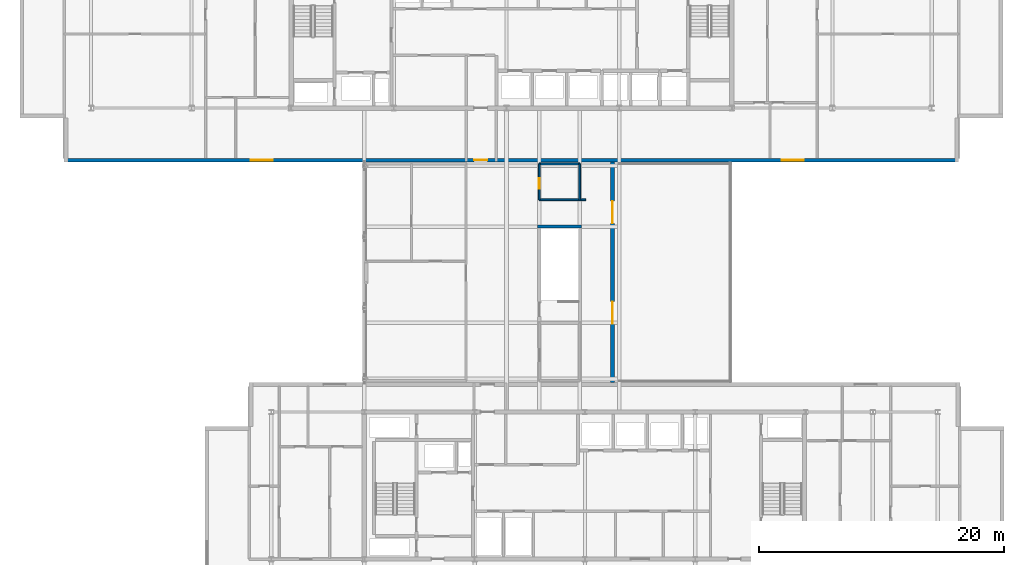
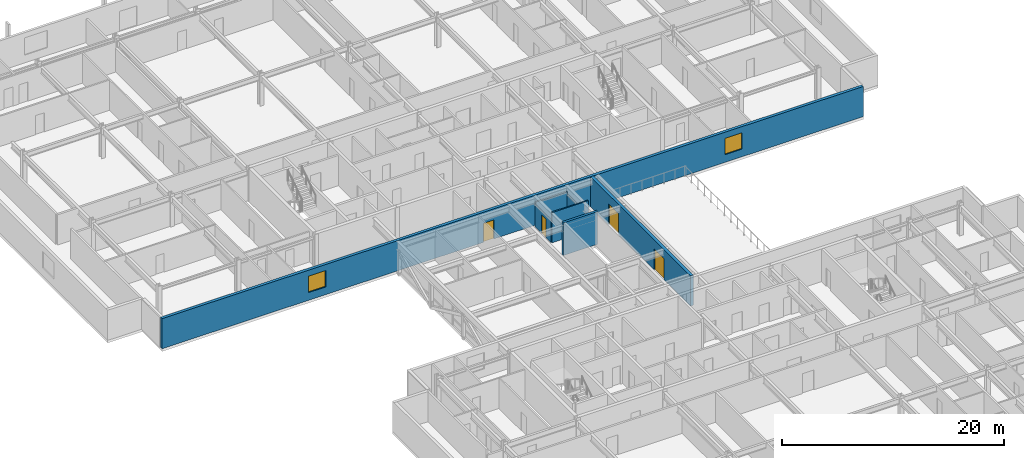
# One storey, part 15 of 28: 7 walls, 4 doors, 2 windows, 6 openings.
"""IFC4 building model written with IfcOpenShell, lengths in metres."""

from ifc_helpers import new_model, si_unit, direction, frame, frame_2d, origin, place, context, subcontext, project, spatial, rectangle, extrude, material, layer, layer_set, type_object, element, fill, save


model = new_model("IFC4")

# Units and contexts
model_context = context("Model", 3, precision=1e-05, world=origin(), true_north=direction((0.0, 1.0)))
body_context = subcontext(model_context, "Body", "Model", "MODEL_VIEW")
ifc_project = project(units=[si_unit("LENGTHUNIT", "METRE"), si_unit("AREAUNIT", "SQUARE_METRE"), si_unit("VOLUMEUNIT", "CUBIC_METRE"), si_unit("PLANEANGLEUNIT", "RADIAN"), si_unit("MASSUNIT", "GRAM", prefix="KILO")], contexts=[model_context])

# Site, building, storey
site_placement = place(None, origin())
site = spatial("IfcSite", under=ifc_project, at=site_placement, CompositionType="ELEMENT")
building_placement = place(site_placement, origin())
building = spatial("IfcBuilding", under=site, at=building_placement, Name="Korimba Cascade Residences", CompositionType="ELEMENT")
storey_placement = place(building_placement, frame((0.0, 0.0, 153.699951171875)))
storey = spatial("IfcBuildingStorey", under=building, at=storey_placement, Name="L44", CompositionType="ELEMENT", Elevation=153.699951171875)

# Wall, openings, door, windows
ifc_material_1 = material(Name="Precast concrete C40/50", Category="concrete")
ifc_layer_1 = layer(ifc_material_1, 0.300048828125)
ifc_layer_set_1 = layer_set([ifc_layer_1], Name="Precast concrete C40/50")
wall_type_1 = type_object("IfcWallType", Name="EW-STONE-300", PredefinedType="STANDARD", material=ifc_layer_set_1)
wall_1_placement = place(storey_placement, frame((57.60009765625, 50.949951171875, 0.0), z_axis=(0.0, 0.0, 1.0), x_axis=(1.0, 0.0, 0.0)))
wall_1 = element("IfcWall", 1, at=wall_1_placement, inside=storey, type_object=wall_type_1, Name="L44 T1 Perimeter Stone Wall E00", PredefinedType="STANDARD", context=body_context, shape_type="SweptSolid", body=[
    extrude(rectangle(XDim=73.0, YDim=0.300048828125, at=frame_2d((36.5, 0.0))), origin(), (0.0, 0.0, 1.0), 3.320068359375),
])
opening_1_placement = place(wall_1_placement, frame((15.22509765625, 0.0, 0.85009765625)))
opening_1 = element("IfcOpeningElement", 2, at=opening_1_placement, cuts=wall_1, Name="Opening W-02", PredefinedType="OPENING", context=body_context, shape_type="SweptSolid", body=[
    extrude(rectangle(XDim=1.800048828125, YDim=1.800048828125, at=frame_2d((0.89990234375, 0.89990234375))), frame((0.0, 0.16015625, 0.0), z_axis=(0.0, -1.0, 0.0), x_axis=(1.0, 0.0, 0.0)), (0.0, 0.0, 1.0), 0.320068359375),
])
opening_2_placement = place(wall_1_placement, frame((58.574951171875, 0.0, 0.85009765625)))
opening_2 = element("IfcOpeningElement", 3, at=opening_2_placement, cuts=wall_1, Name="Opening W-02", PredefinedType="OPENING", context=body_context, shape_type="SweptSolid", body=[
    extrude(rectangle(XDim=1.800048828125, YDim=1.800048828125, at=frame_2d((0.89990234375, 0.89990234375))), frame((0.0, 0.16015625, 0.0), z_axis=(0.0, -1.0, 0.0), x_axis=(1.0, 0.0, 0.0)), (0.0, 0.0, 1.0), 0.320068359375),
])
opening_3_placement = place(wall_1_placement, frame((33.449951171875, 0.0, 0.0)))
opening_3 = element("IfcOpeningElement", 4, at=opening_3_placement, cuts=wall_1, Name="Opening D-BF1", PredefinedType="OPENING", context=body_context, shape_type="SweptSolid", body=[
    extrude(rectangle(XDim=1.10009765625, YDim=2.10009765625, at=frame_2d((0.550048828125, 1.050048828125))), frame((0.0, 0.16015625, 0.0), z_axis=(0.0, -1.0, 0.0), x_axis=(1.0, 0.0, 0.0)), (0.0, 0.0, 1.0), 0.320068359375),
])
ifc_material_2 = material(Name="Fire-Rated Steel Skybridge Link Door", Category="steel")
door_type_1 = type_object("IfcDoorType", Name="DR-BRG-FD120", OperationType="NOTDEFINED", PredefinedType="DOOR", material=ifc_material_2)
door_1_placement = place(opening_3_placement, origin())
door_1 = element("IfcDoor", 5, at=door_1_placement, inside=storey, type_object=door_type_1, Name="L44 Skybridge to Tower 1 Fire Door", OperationType="SINGLE_SWING_LEFT", OverallHeight=2.10009765625, OverallWidth=1.10009765625, PredefinedType="DOOR", context=body_context, shape_type="SweptSolid", body=[
    extrude(rectangle(XDim=1.10009765625, YDim=2.10009765625, at=frame_2d((0.550048828125, 1.050048828125))), frame((0.0, 0.02490234375, 0.0), z_axis=(0.0, -1.0, 0.0), x_axis=(1.0, 0.0, 0.0)), (0.0, 0.0, 1.0), 0.050048828125),
])
fill(opening_3, door_1)
ifc_material_3 = material(Name="Double-Glazed Aluminium Window", Category="aluminium")
window_type = type_object("IfcWindowType", Name="WIN-BED-1800", PartitioningType="SINGLE_PANEL", PredefinedType="WINDOW", material=ifc_material_3)
window_1_placement = place(opening_1_placement, origin())
window_1 = element("IfcWindow", 6, at=window_1_placement, inside=storey, type_object=window_type, Name="L44 T1 South Corner Bedroom Window 1", OverallHeight=1.800048828125, OverallWidth=1.800048828125, PartitioningType="SINGLE_PANEL", PredefinedType="WINDOW", context=body_context, shape_type="SweptSolid", body=[
    extrude(rectangle(XDim=1.800048828125, YDim=1.800048828125, at=frame_2d((0.89990234375, 0.89990234375))), frame((0.0, 0.030029296875, 0.0), z_axis=(0.0, -1.0, 0.0), x_axis=(1.0, 0.0, 0.0)), (0.0, 0.0, 1.0), 0.06005859375),
])
fill(opening_1, window_1)
window_2_placement = place(opening_2_placement, origin())
window_2 = element("IfcWindow", 7, at=window_2_placement, inside=storey, type_object=window_type, Name="L44 T1 South Corner Bedroom Window 2", OverallHeight=1.800048828125, OverallWidth=1.800048828125, PartitioningType="SINGLE_PANEL", PredefinedType="WINDOW", context=body_context, shape_type="SweptSolid", body=[
    extrude(rectangle(XDim=1.800048828125, YDim=1.800048828125, at=frame_2d((0.89990234375, 0.89990234375))), frame((0.0, 0.030029296875, 0.0), z_axis=(0.0, -1.0, 0.0), x_axis=(1.0, 0.0, 0.0)), (0.0, 0.0, 1.0), 0.06005859375),
])
fill(opening_2, window_2)

# Wall, openings, doors
wall_2_placement = place(storey_placement, frame((102.35009765625, 32.800048828125, 0.0), z_axis=(0.0, 0.0, 1.0), x_axis=(0.0, 1.0, 0.0)))
wall_2 = element("IfcWall", 8, at=wall_2_placement, inside=storey, type_object=wall_type_1, Name="L44 Sky Pool Pavilion East Wall", PredefinedType="STANDARD", context=body_context, shape_type="SweptSolid", body=[
    extrude(rectangle(XDim=18.0, YDim=0.300048828125, at=frame_2d((9.0, 0.0))), origin(), (0.0, 0.0, 1.0), 3.320068359375),
])
opening_4_placement = place(wall_2_placement, frame((4.800048828125, 0.0, 0.0)))
opening_4 = element("IfcOpeningElement", 9, at=opening_4_placement, cuts=wall_2, Name="Opening D-PL1", PredefinedType="OPENING", context=body_context, shape_type="SweptSolid", body=[
    extrude(rectangle(XDim=1.800048828125, YDim=2.300048828125, at=frame_2d((0.89990234375, 1.14990234375))), frame((0.0, 0.16015625, 0.0), z_axis=(0.0, -1.0, 0.0), x_axis=(1.0, 0.0, 0.0)), (0.0, 0.0, 1.0), 0.320068359375),
])
opening_5_placement = place(wall_2_placement, frame((13.0, 0.0, 0.0)))
opening_5 = element("IfcOpeningElement", 10, at=opening_5_placement, cuts=wall_2, Name="Opening D-PL1", PredefinedType="OPENING", context=body_context, shape_type="SweptSolid", body=[
    extrude(rectangle(XDim=1.800048828125, YDim=2.300048828125, at=frame_2d((0.89990234375, 1.14990234375))), frame((0.0, 0.16015625, 0.0), z_axis=(0.0, -1.0, 0.0), x_axis=(1.0, 0.0, 0.0)), (0.0, 0.0, 1.0), 0.320068359375),
])
ifc_material_4 = material(Name="Frameless Glass Sky-Pool Sliding Door", Category="glass")
door_type_2 = type_object("IfcDoorType", Name="DR-EXT-POOL", OperationType="NOTDEFINED", PredefinedType="DOOR", material=ifc_material_4)
door_2_placement = place(opening_4_placement, origin())
door_2 = element("IfcDoor", 11, at=door_2_placement, inside=storey, type_object=door_type_2, Name="L44 Sky Pool Deck Sliding Door 1", OperationType="DOUBLE_DOOR_SLIDING", OverallHeight=2.300048828125, OverallWidth=1.800048828125, PredefinedType="DOOR", context=body_context, shape_type="SweptSolid", body=[
    extrude(rectangle(XDim=1.800048828125, YDim=2.300048828125, at=frame_2d((0.89990234375, 1.14990234375))), frame((0.0, 0.02490234375, 0.0), z_axis=(0.0, -1.0, 0.0), x_axis=(1.0, 0.0, 0.0)), (0.0, 0.0, 1.0), 0.050048828125),
])
fill(opening_4, door_2)
door_3_placement = place(opening_5_placement, origin())
door_3 = element("IfcDoor", 12, at=door_3_placement, inside=storey, type_object=door_type_2, Name="L44 Sky Pool Deck Sliding Door 2", OperationType="DOUBLE_DOOR_SLIDING", OverallHeight=2.300048828125, OverallWidth=1.800048828125, PredefinedType="DOOR", context=body_context, shape_type="SweptSolid", body=[
    extrude(rectangle(XDim=1.800048828125, YDim=2.300048828125, at=frame_2d((0.89990234375, 1.14990234375))), frame((0.0, 0.02490234375, 0.0), z_axis=(0.0, -1.0, 0.0), x_axis=(1.0, 0.0, 0.0)), (0.0, 0.0, 1.0), 0.050048828125),
])
fill(opening_5, door_3)

# Wall
ifc_material_5 = material(Name="Insulated Acoustic Stud Partition", Category="gypsum")
ifc_layer_2 = layer(ifc_material_5, 0.14990234375)
ifc_layer_set_2 = layer_set([ifc_layer_2], Name="Insulated Acoustic Stud Partition")
wall_type_2 = type_object("IfcWallType", Name="WAL-PART-150", PredefinedType="PARTITIONING", material=ifc_layer_set_2)
wall_3_placement = place(storey_placement, frame((96.375, 50.64990234375, 0.0), z_axis=(0.0, 0.0, 1.0), x_axis=(1.0, 0.0, 0.0)))
element("IfcWall", 13, at=wall_3_placement, inside=storey, type_object=wall_type_2, Name="L44 Partition Wall WAL-L44-BRG-WCN2", PredefinedType="PARTITIONING", context=body_context, shape_type="SweptSolid", body=[
    extrude(rectangle(XDim=3.31005859375, YDim=0.14990234375, at=frame_2d((1.655029296875, 0.0))), origin(), (0.0, 0.0, 1.0), 2.699951171875),
])

# Wall, opening, door
wall_4_placement = place(storey_placement, frame((96.375, 47.719970703125, 0.0), z_axis=(0.0, 0.0, 1.0), x_axis=(0.0, 1.0, 0.0)))
wall_4 = element("IfcWall", 14, at=wall_4_placement, inside=storey, type_object=wall_type_2, Name="L44 Partition Wall WAL-L44-BRG-WCW2", PredefinedType="PARTITIONING", context=body_context, shape_type="SweptSolid", body=[
    extrude(rectangle(XDim=2.929931640625, YDim=0.14990234375, at=frame_2d((1.46484375, 0.0))), origin(), (0.0, 0.0, 1.0), 2.3935546875),
])
opening_6_placement = place(wall_4_placement, frame((0.89990234375, 0.0, 0.0)))
opening_6 = element("IfcOpeningElement", 15, at=opening_6_placement, cuts=wall_4, Name="Opening D-BT1", PredefinedType="OPENING", context=body_context, shape_type="SweptSolid", body=[
    extrude(rectangle(XDim=0.840087890625, YDim=2.0400390625, at=frame_2d((0.419921875, 1.02001953125))), frame((0.0, 0.0849609375, 0.0), z_axis=(0.0, -1.0, 0.0), x_axis=(1.0, 0.0, 0.0)), (0.0, 0.0, 1.0), 0.169921875),
])
ifc_material_6 = material(Name="Moisture-Resistant Bathroom Timber Door", Category="wood")
door_type_3 = type_object("IfcDoorType", Name="DR-INT-850", OperationType="NOTDEFINED", PredefinedType="DOOR", material=ifc_material_6)
door_4_placement = place(opening_6_placement, origin())
door_4 = element("IfcDoor", 16, at=door_4_placement, inside=storey, type_object=door_type_3, Name="L44 Skybridge WC Door", OperationType="SINGLE_SWING_RIGHT", OverallHeight=2.0400390625, OverallWidth=0.840087890625, PredefinedType="DOOR", context=body_context, shape_type="SweptSolid", body=[
    extrude(rectangle(XDim=0.840087890625, YDim=2.0400390625, at=frame_2d((0.419921875, 1.02001953125))), frame((0.0, 0.02490234375, 0.0), z_axis=(0.0, -1.0, 0.0), x_axis=(1.0, 0.0, 0.0)), (0.0, 0.0, 1.0), 0.050048828125),
])
fill(opening_6, door_4)

# Walls
wall_5_placement = place(storey_placement, frame((96.375, 47.719970703125, 0.0), z_axis=(0.0, 0.0, 1.0), x_axis=(1.0, 0.0, 0.0)))
element("IfcWall", 17, at=wall_5_placement, inside=storey, type_object=wall_type_2, Name="L44 Partition Wall WAL-L44-BRG-WCSH", PredefinedType="PARTITIONING", context=body_context, shape_type="SweptSolid", body=[
    extrude(rectangle(XDim=3.77490234375, YDim=0.14990234375, at=frame_2d((1.887451171875, 0.0))), origin(), (0.0, 0.0, 1.0), 3.320068359375),
])
wall_6_placement = place(storey_placement, frame((99.68505859375, 47.719970703125, 0.0), z_axis=(0.0, 0.0, 1.0), x_axis=(0.0, 1.0, 0.0)))
element("IfcWall", 18, at=wall_6_placement, inside=storey, type_object=wall_type_2, Name="L44 Partition Wall WAL-L44-BRG-EE3", PredefinedType="PARTITIONING", context=body_context, shape_type="SweptSolid", body=[
    extrude(rectangle(XDim=2.929931640625, YDim=0.14990234375, at=frame_2d((1.46484375, 0.0))), origin(), (0.0, 0.0, 1.0), 2.3935546875),
])
ifc_material_7 = material(Name="Concrete C50/60", Category="concrete")
ifc_layer_3 = layer(ifc_material_7, 0.25)
ifc_layer_set_3 = layer_set([ifc_layer_3], Name="Concrete C50/60")
wall_type_3 = type_object("IfcWallType", Name="WAL-SHAFT-250", PredefinedType="SHEAR", material=ifc_layer_set_3)
wall_7_placement = place(storey_placement, frame((96.25, 45.52490234375, 0.0), z_axis=(0.0, 0.0, 1.0), x_axis=(1.0, 0.0, 0.0)))
element("IfcWall", 19, at=wall_7_placement, inside=storey, type_object=wall_type_3, Name="L44 Core Shear Wall CW-L44-STBR1N", PredefinedType="SHEAR", context=body_context, shape_type="SweptSolid", body=[
    extrude(rectangle(XDim=3.56005859375, YDim=0.25, at=frame_2d((1.780029296875, 0.0))), origin(), (0.0, 0.0, 1.0), 3.60009765625),
])

save(model, "model.ifc")
